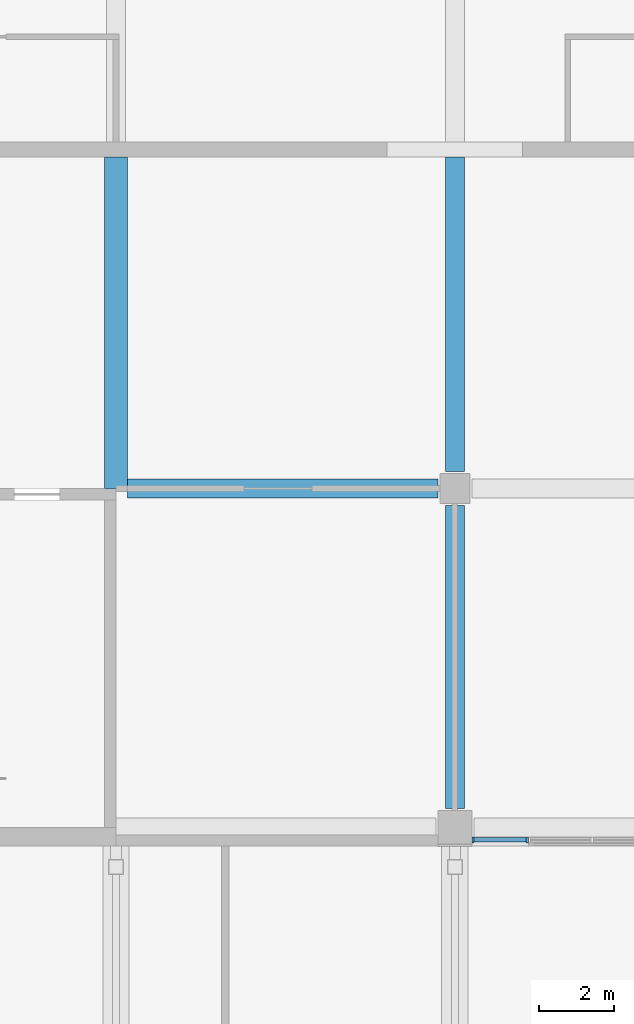
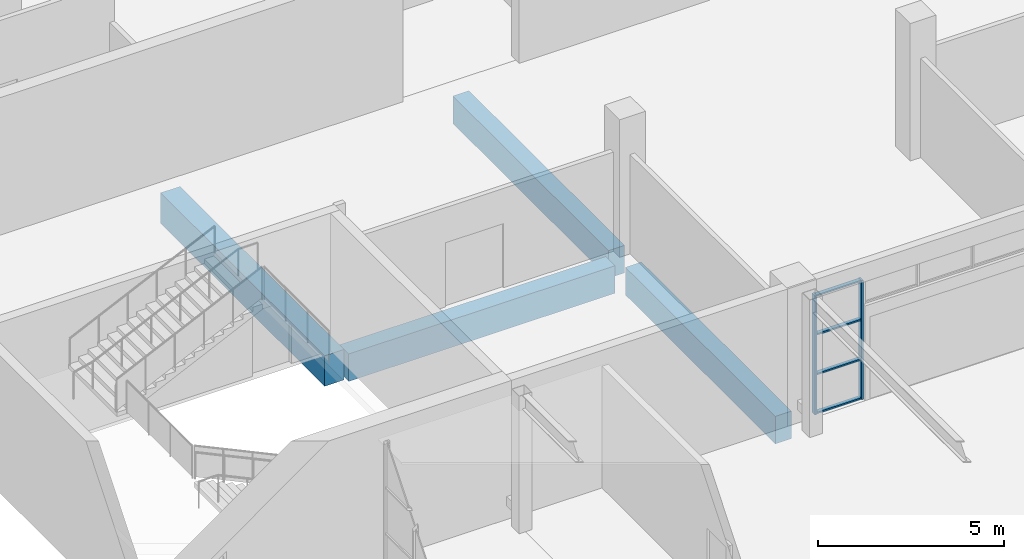
# One storey, part 32 of 168: 6 members, 4 beams, 1 element without a shape of its own.
"""IFC4 building model written with IfcOpenShell, lengths in metres."""

from ifc_helpers import new_model, si_unit, direction, frame, origin, origin_2d, place, context, subcontext, project, spatial, rectangle, extrude, material, material_profile, profile_set, type_object, element, aggregate, save


model = new_model("IFC4")

# Units and contexts
model_context = context("Model", 3, precision=1e-05, world=origin(), true_north=direction((0.0, 1.0)))
body_context = subcontext(model_context, "Body", "Model", "MODEL_VIEW")
ifc_project = project(units=[si_unit("LENGTHUNIT", "METRE"), si_unit("AREAUNIT", "SQUARE_METRE"), si_unit("VOLUMEUNIT", "CUBIC_METRE"), si_unit("PLANEANGLEUNIT", "RADIAN"), si_unit("MASSUNIT", "GRAM", prefix="KILO")], contexts=[model_context])

# Site, building, storey
site_placement = place(None, origin())
site = spatial("IfcSite", under=ifc_project, at=site_placement, CompositionType="ELEMENT")
building_placement = place(site_placement, origin())
building = spatial("IfcBuilding", under=site, at=building_placement, Name="Silverbay Arena", CompositionType="ELEMENT")
storey_placement = place(building_placement, frame((0.0, 0.0, 7.0)))
storey = spatial("IfcBuildingStorey", under=building, at=storey_placement, Name="L01", CompositionType="ELEMENT", Elevation=7.0)

# Curtain wall, members
ifc_material_1 = material(Name="Aluminium framed curtain wall", Category="aluminium")
curtain_wall_type = type_object("IfcCurtainWallType", Name="Curtain wall 1500 x 3900", PredefinedType="NOTDEFINED", material=ifc_material_1)
curtain_wall_placement = place(storey_placement, origin())
curtain_wall = element("IfcCurtainWall", 1, at=curtain_wall_placement, inside=storey, type_object=curtain_wall_type, Name="South curtain wall L01 bay 12", PredefinedType="NOTDEFINED")
ifc_material_2 = material(Name="Aluminium", Category="aluminium")
ifc_material_profile_1 = material_profile(ifc_material_2, rectangle(XDim=0.159912109375, YDim=0.06005859375, at=origin_2d()), Name="Mullion 60 x 160")
ifc_profile_set_1 = profile_set([ifc_material_profile_1], Name="Aluminium")
member_type_1 = type_object("IfcMemberType", Name="Mullion 60 x 160", PredefinedType="MULLION", material=ifc_profile_set_1)
member_1_placement = place(storey_placement, frame((126.47998046875, 17.669921875, 0.0), z_axis=(0.0, 0.0, 1.0), x_axis=(0.0, 1.0, 0.0)))
member_1 = element("IfcMember", 2, at=member_1_placement, type_object=member_type_1, Name="CW4 mullion 1", PredefinedType="MULLION", context=body_context, shape_type="SweptSolid", body=[
    extrude(rectangle(XDim=0.159912109375, YDim=0.06005859375, at=origin_2d()), origin(), (0.0, 0.0, 1.0), 3.89990234375),
])
member_2_placement = place(storey_placement, frame((127.919921875, 17.669921875, 0.0), z_axis=(0.0, 0.0, 1.0), x_axis=(0.0, 1.0, 0.0)))
member_2 = element("IfcMember", 3, at=member_2_placement, type_object=member_type_1, Name="CW4 mullion 2", PredefinedType="MULLION", context=body_context, shape_type="SweptSolid", body=[
    extrude(rectangle(XDim=0.159912109375, YDim=0.06005859375, at=origin_2d()), origin(), (0.0, 0.0, 1.0), 3.89990234375),
])

# Beams
ifc_material_3 = material(Name="Concrete Grade C45", Category="concrete")
ifc_material_profile_2 = material_profile(ifc_material_3, rectangle(XDim=0.5, YDim=0.89990234375, at=origin_2d()), Name="RC 500x900")
ifc_profile_set_2 = profile_set([ifc_material_profile_2], Name="Concrete Grade C45")
beam_type_1 = type_object("IfcBeamType", Name="RC beam 500x900", PredefinedType="BEAM", material=ifc_profile_set_2)
beam_1_placement = place(storey_placement, frame((117.300048828125, 27.0, -0.800048828125), z_axis=(1.0, 0.0, 0.0), x_axis=(0.0, 1.0, 0.0)))
element("IfcBeam", 4, at=beam_1_placement, inside=storey, type_object=beam_type_1, Name="Floor beam L01 013", PredefinedType="BEAM", context=body_context, shape_type="SweptSolid", body=[
    extrude(rectangle(XDim=0.5, YDim=0.89990234375, at=origin_2d()), origin(), (0.0, 0.0, 1.0), 8.25),
])
beam_2_placement = place(storey_placement, frame((126.0, 18.5, -0.800048828125), z_axis=(0.0, 1.0, 0.0), x_axis=(-1.0, 0.0, 0.0)))
element("IfcBeam", 5, at=beam_2_placement, inside=storey, type_object=beam_type_1, Name="Floor beam L01 265", PredefinedType="BEAM", context=body_context, shape_type="SweptSolid", body=[
    extrude(rectangle(XDim=0.5, YDim=0.89990234375, at=origin_2d()), origin(), (0.0, 0.0, 1.0), 8.050048828125),
])
beam_3_placement = place(storey_placement, frame((126.0, 27.449951171875, -0.800048828125), z_axis=(0.0, 1.0, 0.0), x_axis=(-1.0, 0.0, 0.0)))
element("IfcBeam", 6, at=beam_3_placement, inside=storey, type_object=beam_type_1, Name="Floor beam L01 266", PredefinedType="BEAM", context=body_context, shape_type="SweptSolid", body=[
    extrude(rectangle(XDim=0.5, YDim=0.89990234375, at=origin_2d()), origin(), (0.0, 0.0, 1.0), 8.35009765625),
])
ifc_material_4 = material(Name="Concrete Grade C45", Category="concrete")
ifc_material_profile_3 = material_profile(ifc_material_4, rectangle(XDim=0.60009765625, YDim=1.0, at=origin_2d()), Name="RC 600x1000")
ifc_profile_set_3 = profile_set([ifc_material_profile_3], Name="Concrete Grade C45")
beam_type_2 = type_object("IfcBeamType", Name="RC beam 600x1000", PredefinedType="BEAM", material=ifc_profile_set_3)
beam_4_placement = place(storey_placement, frame((117.0, 27.0, -0.85009765625), z_axis=(0.0, 1.0, 0.0), x_axis=(-1.0, 0.0, 0.0)))
element("IfcBeam", 7, at=beam_4_placement, inside=storey, type_object=beam_type_2, Name="Floor beam L01 259", PredefinedType="BEAM", context=body_context, shape_type="SweptSolid", body=[
    extrude(rectangle(XDim=0.60009765625, YDim=1.0, at=origin_2d()), origin(), (0.0, 0.0, 1.0), 8.800048828125),
])

# Member
ifc_material_5 = material(Name="Aluminium", Category="aluminium")
ifc_material_profile_4 = material_profile(ifc_material_5, rectangle(XDim=0.1201171875, YDim=0.050048828125, at=origin_2d()), Name="Transom 50 x 120")
ifc_profile_set_4 = profile_set([ifc_material_profile_4], Name="Aluminium")
member_type_2 = type_object("IfcMemberType", Name="Transom 50 x 120", PredefinedType="USERDEFINED", material=ifc_profile_set_4)
member_3_placement = place(storey_placement, frame((126.510009765625, 17.669921875, 0.02490234375), z_axis=(1.0, 0.0, 0.0), x_axis=(0.0, 1.0, 0.0)))
member_3 = element("IfcMember", 8, at=member_3_placement, type_object=member_type_2, Name="CW4 transom 1.1", ObjectType="TRANSOM", PredefinedType="USERDEFINED", context=body_context, shape_type="SweptSolid", body=[
    extrude(rectangle(XDim=0.1201171875, YDim=0.050048828125, at=origin_2d()), origin(), (0.0, 0.0, 1.0), 1.3798828125),
])

member_4_placement = place(storey_placement, frame((126.510009765625, 17.669921875, 1.300048828125), z_axis=(1.0, 0.0, 0.0), x_axis=(0.0, 1.0, 0.0)))
member_4 = element("IfcMember", 9, at=member_4_placement, type_object=member_type_2, Name="CW4 transom 1.2", ObjectType="TRANSOM", PredefinedType="USERDEFINED", context=body_context, shape_type="SweptSolid", body=[
    extrude(rectangle(XDim=0.1201171875, YDim=0.050048828125, at=origin_2d()), origin(), (0.0, 0.0, 1.0), 1.3798828125),
])

member_5_placement = place(storey_placement, frame((126.510009765625, 17.669921875, 2.60009765625), z_axis=(1.0, 0.0, 0.0), x_axis=(0.0, 1.0, 0.0)))
member_5 = element("IfcMember", 10, at=member_5_placement, type_object=member_type_2, Name="CW4 transom 1.3", ObjectType="TRANSOM", PredefinedType="USERDEFINED", context=body_context, shape_type="SweptSolid", body=[
    extrude(rectangle(XDim=0.1201171875, YDim=0.050048828125, at=origin_2d()), origin(), (0.0, 0.0, 1.0), 1.3798828125),
])

member_6_placement = place(storey_placement, frame((126.510009765625, 17.669921875, 3.875), z_axis=(1.0, 0.0, 0.0), x_axis=(0.0, 1.0, 0.0)))
member_6 = element("IfcMember", 11, at=member_6_placement, type_object=member_type_2, Name="CW4 transom 1.4", ObjectType="TRANSOM", PredefinedType="USERDEFINED", context=body_context, shape_type="SweptSolid", body=[
    extrude(rectangle(XDim=0.1201171875, YDim=0.050048828125, at=origin_2d()), origin(), (0.0, 0.0, 1.0), 1.3798828125),
])

aggregate(curtain_wall, [member_1, member_2, member_3, member_4, member_5, member_6])

save(model, "model.ifc")
